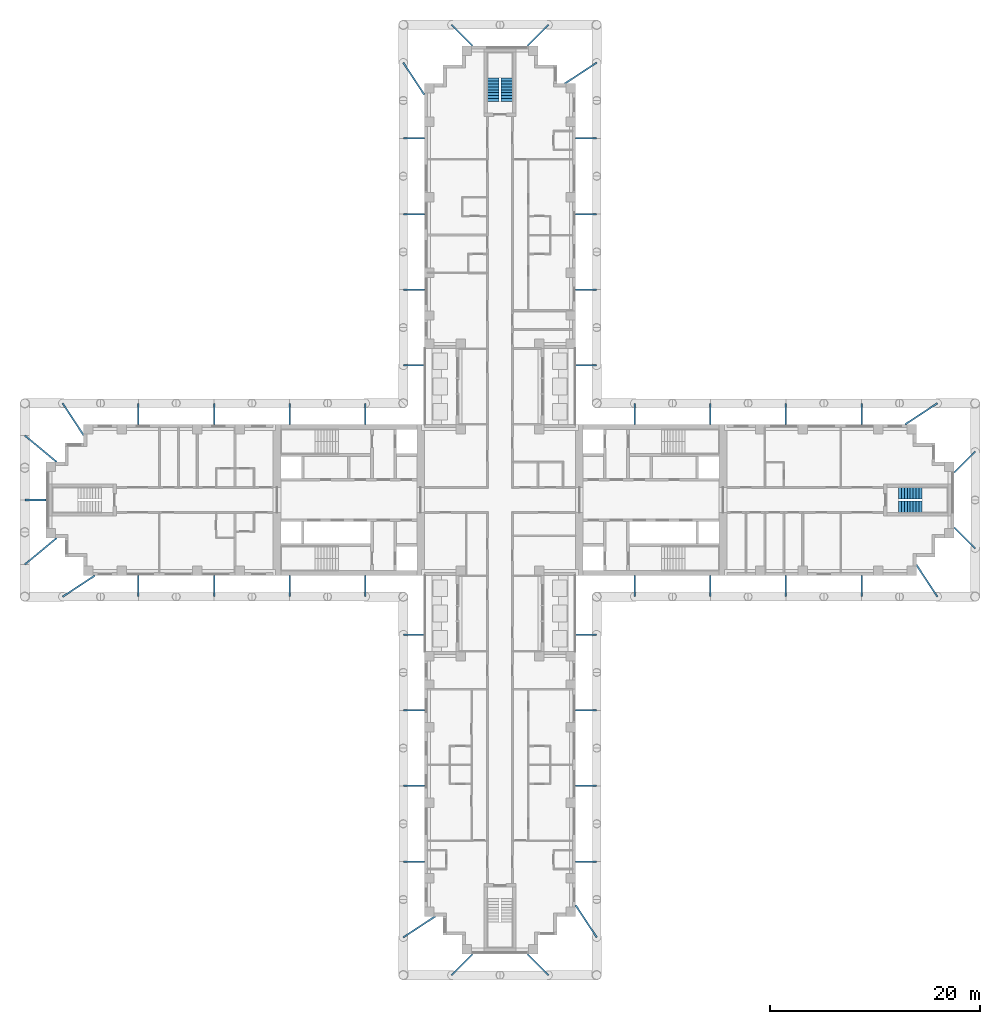
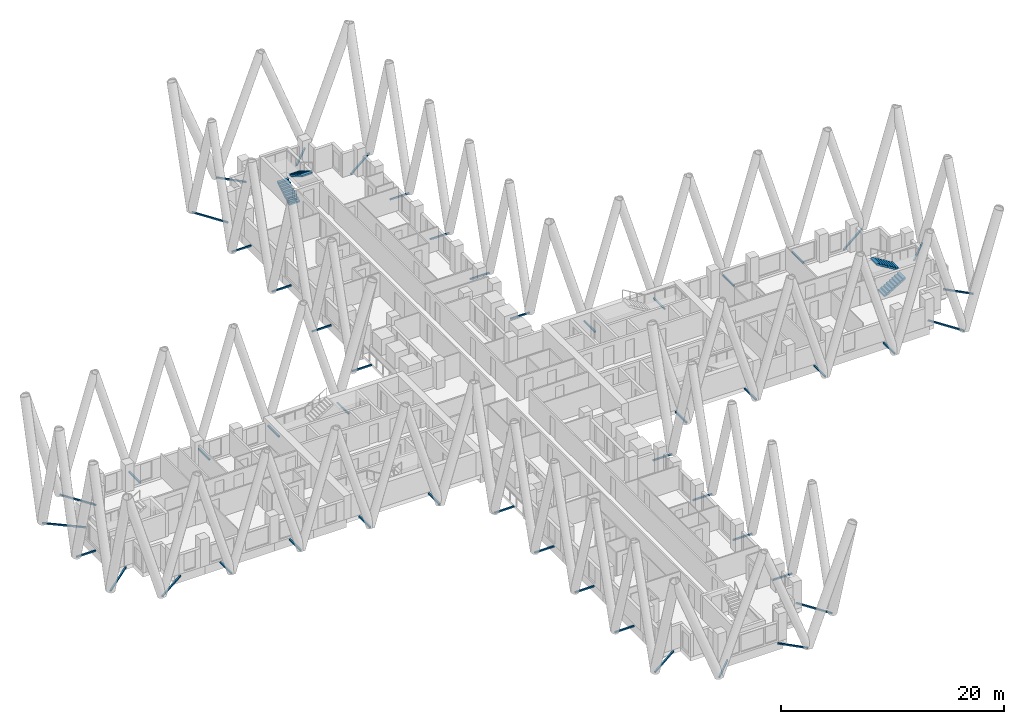
# One storey, part 14 of 16: 49 discrete accessories, 4 stair flights, 2 elements without a shape of their own.
"""IFC4 building model written with IfcOpenShell, lengths in metres."""

import ifcopenshell
import ifcopenshell.guid

model = None  # the IFC model being written
_history = None  # IfcOwnerHistory: only IFC2X3 demands one
_inside = {}  # id of a spatial element -> (the spatial element, [elements in it])
_under = {}  # id of a project, library or spatial element -> (it, [spatial elements below it])
_declared = {}  # id of a project -> (the project, [libraries it declares])
_typed = {}  # id of a type object -> (the type object, [elements of that type])
_made_of = {}  # id of a material, layer set ... -> (it, [elements and type objects made of it])


def new_model(schema):
    """Start an empty IFC model of exactly this schema.

    Asked for "IFC4X3", IfcOpenShell would pick the latest addendum, in which some entities
    have other attributes; the version numbers below select the first issue.
    IFC2X3 requires an IfcOwnerHistory on every rooted entity: one is made here for all.
    """
    global model, _history
    if schema == "IFC4X3":
        model = ifcopenshell.file(schema_version=(4, 3, 0, 0))
    else:
        model = ifcopenshell.file(schema=schema)
    _inside.clear()
    _under.clear()
    _declared.clear()
    _typed.clear()
    _made_of.clear()
    _history = None
    if model.schema == "IFC2X3":
        org = make("IfcOrganization", Name="unknown")
        user = make(
            "IfcPersonAndOrganization",
            ThePerson=make("IfcPerson", FamilyName="unknown"),
            TheOrganization=org,
        )
        app = make(
            "IfcApplication",
            ApplicationDeveloper=org,
            Version="unknown",
            ApplicationFullName="unknown",
            ApplicationIdentifier="unknown",
        )
        _history = make(
            "IfcOwnerHistory",
            OwningUser=user,
            OwningApplication=app,
            ChangeAction="ADDED",
            CreationDate=0,
        )
    return model


def make(cls, **values):
    """One entity of the class cls with the attributes given. An attribute that is None is left unset."""
    return model.create_entity(
        cls, **{name: value for name, value in values.items() if value is not None}
    )


def rooted(cls, **values):
    """An entity with a GlobalId (a new one), such as an element, a storey or a relation."""
    return make(cls, GlobalId=ifcopenshell.guid.new(), OwnerHistory=_history, **values)


def si_unit(unit_type, name, prefix=None):
    """IfcSIUnit, for example si_unit("LENGTHUNIT", "METRE", prefix="MILLI")."""
    return make("IfcSIUnit", UnitType=unit_type, Prefix=prefix, Name=name)


def assignment(units):
    """IfcUnitAssignment: the units of a project."""
    return None if units is None else make("IfcUnitAssignment", Units=units)


def point(xyz):
    """IfcCartesianPoint."""
    return None if xyz is None else make("IfcCartesianPoint", Coordinates=xyz)


def direction(xyz):
    """IfcDirection."""
    return None if xyz is None else make("IfcDirection", DirectionRatios=xyz)


def frame(location, z_axis=None, x_axis=None):
    """IfcAxis2Placement3D, a coordinate frame: its origin and axes. An axis left out is left unset."""
    return make(
        "IfcAxis2Placement3D",
        Location=point(location),
        Axis=direction(z_axis),
        RefDirection=direction(x_axis),
    )


def frame_2d(location, x_axis=None):
    """IfcAxis2Placement2D, a coordinate frame in the plane: its origin and x axis."""
    return make(
        "IfcAxis2Placement2D", Location=point(location), RefDirection=direction(x_axis)
    )


def origin():
    """The frame at (0, 0, 0) with its axes left unset."""
    return frame((0.0, 0.0, 0.0))


def origin_2d():
    """The frame at (0, 0) in the plane with its x axis left unset."""
    return frame_2d((0.0, 0.0))


def place(relative_to, where):
    """IfcLocalPlacement: puts the frame where relative to a parent placement (None: the world)."""
    return make(
        "IfcLocalPlacement", PlacementRelTo=relative_to, RelativePlacement=where
    )


def context(
    kind, dimensions, precision=None, world=None, true_north=None, identifier=None
):
    """IfcGeometricRepresentationContext, for example the 3D "Model" context."""
    return make(
        "IfcGeometricRepresentationContext",
        ContextIdentifier=identifier,
        ContextType=kind,
        CoordinateSpaceDimension=dimensions,
        Precision=precision,
        WorldCoordinateSystem=world,
        TrueNorth=true_north,
    )


def subcontext(parent, identifier, kind, view, scale=None):
    """IfcGeometricRepresentationSubContext, for example "Body" below "Model"."""
    return make(
        "IfcGeometricRepresentationSubContext",
        ContextIdentifier=identifier,
        ContextType=kind,
        ParentContext=parent,
        TargetScale=scale,
        TargetView=view,
    )


def project(units=None, contexts=None):
    """IfcProject with its units and contexts."""
    return rooted(
        "IfcProject",
        Name="project",
        RepresentationContexts=contexts,
        UnitsInContext=assignment(units),
    )


def spatial(cls, under=None, at=None, **own):
    """A site, building, storey or space (cls), placed at a placement, below another one or the project."""
    s = rooted(cls, ObjectPlacement=at, **own)
    if under is not None:
        _under.setdefault(under.id(), (under, []))[1].append(s)
    return s


def polyline(points):
    """IfcPolyline through the points."""
    return make("IfcPolyline", Points=[point(p) for p in points])


def profile(cls, at=None, kind="AREA", **sizes):
    """A parametric profile (cls). Its sizes go by their IFC names, for example OverallWidth=200.0."""
    return make(cls, ProfileType=kind, Position=at, **sizes)


def hollow_rectangle(**sizes):
    """IfcRectangleHollowProfileDef."""
    return profile("IfcRectangleHollowProfileDef", **sizes)


def outline(outer, holes=None, kind="AREA"):
    """IfcArbitraryClosedProfileDef: a profile drawn as a closed curve; with holes, ...WithVoids."""
    if holes is None:
        return make("IfcArbitraryClosedProfileDef", ProfileType=kind, OuterCurve=outer)
    return make(
        "IfcArbitraryProfileDefWithVoids",
        ProfileType=kind,
        OuterCurve=outer,
        InnerCurves=holes,
    )


def extrude(swept, where, along, depth):
    """IfcExtrudedAreaSolid: the profile swept, set in the frame where, extruded along a direction by depth."""
    return make(
        "IfcExtrudedAreaSolid",
        SweptArea=swept,
        Position=where,
        ExtrudedDirection=direction(along),
        Depth=depth,
    )


def shape(context_of_items, identifier, shape_type, items):
    """IfcShapeRepresentation: the items that make up one representation, for example the "Body"."""
    return make(
        "IfcShapeRepresentation",
        ContextOfItems=context_of_items,
        RepresentationIdentifier=identifier,
        RepresentationType=shape_type,
        Items=items,
    )


def material(Name=None, Category=None):
    """IfcMaterial."""
    return make("IfcMaterial", Name=Name, Category=Category)


def made_of(thing, what):
    """Note that an element or type object is made of a material, layer set ...; save() writes the relation."""
    if what is not None:
        _made_of.setdefault(what.id(), (what, []))[1].append(thing)
    return thing


def type_object(cls, material=None, **own):
    """A type object (cls), such as IfcWallType, which elements share."""
    return made_of(rooted(cls, **own), material)


def element(
    cls,
    number,
    at=None,
    inside=None,
    cuts=None,
    type_object=None,
    material=None,
    context=None,
    identifier="Body",
    shape_type=None,
    held_by="IfcProductDefinitionShape",
    body=None,
    shapes=None,
    **own,
):
    """One element of the class cls, such as IfcWall. Its Tag is "e" and its number.

    at: its placement. inside: the storey or other place that contains it. cuts: it is an
    opening in that element (IfcRelVoidsElement). A single representation is given by context,
    identifier, shape_type and body (its items); several are given by shapes. held_by: the class
    of the entity that holds the representations. save() writes the other relations.
    """
    e = rooted(cls, Tag="e%d" % number, ObjectPlacement=at, **own)
    if body is not None:
        shapes = [shape(context, identifier, shape_type, body)]
    if shapes is not None:
        e.Representation = make(held_by, Representations=shapes)
    if inside is not None:
        _inside.setdefault(inside.id(), (inside, []))[1].append(e)
    if cuts is not None:
        rooted(
            "IfcRelVoidsElement", RelatingBuildingElement=cuts, RelatedOpeningElement=e
        )
    if type_object is not None:
        _typed.setdefault(type_object.id(), (type_object, []))[1].append(e)
    return made_of(e, material)


def aggregate(whole, parts):
    """IfcRelAggregates: a whole, such as a stair, and the parts it consists of."""
    return rooted("IfcRelAggregates", RelatingObject=whole, RelatedObjects=parts)


def save(model, path):
    """Write the relations noted so far, then the file.

    IfcRelAggregates (storeys below a building ...), IfcRelContainedInSpatialStructure (elements
    in a storey), IfcRelDefinesByType, IfcRelAssociatesMaterial and IfcRelDeclares: one each for
    every whole, place, type object, material and project.
    """
    for whole, parts in _under.values():
        aggregate(whole, parts)
    for where, things in _inside.values():
        rooted(
            "IfcRelContainedInSpatialStructure",
            RelatedElements=things,
            RelatingStructure=where,
        )
    for kind, things in _typed.values():
        rooted("IfcRelDefinesByType", RelatedObjects=things, RelatingType=kind)
    for what, things in _made_of.values():
        rooted("IfcRelAssociatesMaterial", RelatedObjects=things, RelatingMaterial=what)
    for by, libraries in _declared.values():
        rooted("IfcRelDeclares", RelatingContext=by, RelatedDefinitions=libraries)
    model.write(path)


model = new_model("IFC4")

# Units and contexts
model_context = context("Model", 3, precision=1e-05, world=origin(), true_north=direction((0.0, 1.0)))
body_context = subcontext(model_context, "Body", "Model", "MODEL_VIEW")
ifc_project = project(units=[si_unit("LENGTHUNIT", "METRE"), si_unit("AREAUNIT", "SQUARE_METRE"), si_unit("VOLUMEUNIT", "CUBIC_METRE"), si_unit("PLANEANGLEUNIT", "RADIAN"), si_unit("MASSUNIT", "GRAM", prefix="KILO")], contexts=[model_context])

# Site, building, storey
site_placement = place(None, origin())
site = spatial("IfcSite", under=ifc_project, at=site_placement, CompositionType="ELEMENT")
building_placement = place(site_placement, origin())
building = spatial("IfcBuilding", under=site, at=building_placement, Name="Fustian Cross Tower", CompositionType="ELEMENT")
storey_placement = place(building_placement, frame((0.0, 0.0, 44.699951171875)))
storey = spatial("IfcBuildingStorey", under=building, at=storey_placement, Name="L13", CompositionType="ELEMENT", Elevation=44.699951171875)

# Stair, stair flights
ifc_material_1 = material(Name="Concrete C50/60", Category="concrete")
stair_type = type_object("IfcStairType", Name="STAIR 1100 HALF TURN", PredefinedType="HALF_TURN_STAIR", material=ifc_material_1)
stair_1_placement = place(storey_placement, origin())
stair_1 = element("IfcStair", 1, at=stair_1_placement, inside=storey, type_object=stair_type, Name="Stair ST5", PredefinedType="HALF_TURN_STAIR")
ifc_material_2 = material(Name="Concrete C50/60", Category="concrete")
stair_flight_type = type_object("IfcStairFlightType", Name="STAIR FLIGHT 1100", PredefinedType="STRAIGHT", material=ifc_material_2)
stair_flight_1_placement = place(storey_placement, frame((-0.64990234375, 37.89990234375, 0.0), z_axis=(0.0, 0.0, 1.0), x_axis=(0.0, 1.0, 0.0)))
stair_flight_1 = element("IfcStairFlight", 2, at=stair_flight_1_placement, type_object=stair_flight_type, Name="ST5 flight 1", NumberOfRisers=9, NumberOfTreads=8, PredefinedType="STRAIGHT", RiserHeight=0.166666667, TreadLength=0.28, context=body_context, shape_type="SweptSolid", body=[
    extrude(outline(polyline([(0.0, 0.0), (0.0, 0.166748046875), (0.280029296875, 0.166748046875), (0.280029296875, 0.333251953125), (0.56005859375, 0.333251953125), (0.56005859375, 0.5), (0.840087890625, 0.5), (0.840087890625, 0.666748046875), (1.1201171875, 0.666748046875), (1.1201171875, 0.833251953125), (1.39990234375, 0.833251953125), (1.39990234375, 1.0), (1.679931640625, 1.0), (1.679931640625, 1.166748046875), (1.9599609375, 1.166748046875), (1.9599609375, 1.333251953125), (2.239990234375, 1.333251953125), (2.239990234375, 1.5), (2.239990234375, 1.158935546875), (0.29296875, 0.0), (0.0, 0.0)])), frame((0.0, 0.550048828125, 0.0), z_axis=(0.0, -1.0, 0.0), x_axis=(1.0, 0.0, 0.0)), (0.0, 0.0, 1.0), 1.10009765625),
])
stair_flight_2_placement = place(storey_placement, frame((0.64990234375, 40.139892578125, 1.5), z_axis=(0.0, 0.0, 1.0), x_axis=(0.0, -1.0, 0.0)))
stair_flight_2 = element("IfcStairFlight", 3, at=stair_flight_2_placement, type_object=stair_flight_type, Name="ST5 flight 2", NumberOfRisers=9, NumberOfTreads=8, PredefinedType="STRAIGHT", RiserHeight=0.166666667, TreadLength=0.28, context=body_context, shape_type="SweptSolid", body=[
    extrude(outline(polyline([(0.0, 0.0), (0.0, 0.166748046875), (0.280029296875, 0.166748046875), (0.280029296875, 0.333251953125), (0.56005859375, 0.333251953125), (0.56005859375, 0.5), (0.840087890625, 0.5), (0.840087890625, 0.666748046875), (1.1201171875, 0.666748046875), (1.1201171875, 0.833251953125), (1.39990234375, 0.833251953125), (1.39990234375, 1.0), (1.679931640625, 1.0), (1.679931640625, 1.166748046875), (1.9599609375, 1.166748046875), (1.9599609375, 1.333251953125), (2.239990234375, 1.333251953125), (2.239990234375, 1.5), (2.239990234375, 1.158935546875), (0.29296875, 0.0), (0.0, 0.0)])), frame((0.0, 0.550048828125, 0.0), z_axis=(0.0, -1.0, 0.0), x_axis=(1.0, 0.0, 0.0)), (0.0, 0.0, 1.0), 1.10009765625),
])
aggregate(stair_1, [stair_flight_1, stair_flight_2])

stair_2_placement = place(storey_placement, origin())
stair_2 = element("IfcStair", 4, at=stair_2_placement, inside=storey, type_object=stair_type, Name="Stair ST8", PredefinedType="HALF_TURN_STAIR")
stair_flight_3_placement = place(storey_placement, frame((37.89990234375, -0.64990234375, 0.0), z_axis=(0.0, 0.0, 1.0), x_axis=(1.0, 0.0, 0.0)))
stair_flight_3 = element("IfcStairFlight", 5, at=stair_flight_3_placement, type_object=stair_flight_type, Name="ST8 flight 1", NumberOfRisers=9, NumberOfTreads=8, PredefinedType="STRAIGHT", RiserHeight=0.166666667, TreadLength=0.28, context=body_context, shape_type="SweptSolid", body=[
    extrude(outline(polyline([(0.0, 0.0), (0.0, 0.166748046875), (0.280029296875, 0.166748046875), (0.280029296875, 0.333251953125), (0.56005859375, 0.333251953125), (0.56005859375, 0.5), (0.840087890625, 0.5), (0.840087890625, 0.666748046875), (1.1201171875, 0.666748046875), (1.1201171875, 0.833251953125), (1.39990234375, 0.833251953125), (1.39990234375, 1.0), (1.679931640625, 1.0), (1.679931640625, 1.166748046875), (1.9599609375, 1.166748046875), (1.9599609375, 1.333251953125), (2.239990234375, 1.333251953125), (2.239990234375, 1.5), (2.239990234375, 1.158935546875), (0.29296875, 0.0), (0.0, 0.0)])), frame((0.0, 0.550048828125, 0.0), z_axis=(0.0, -1.0, 0.0), x_axis=(1.0, 0.0, 0.0)), (0.0, 0.0, 1.0), 1.10009765625),
])
stair_flight_4_placement = place(storey_placement, frame((40.139892578125, 0.64990234375, 1.5), z_axis=(0.0, 0.0, 1.0), x_axis=(-1.0, 0.0, 0.0)))
stair_flight_4 = element("IfcStairFlight", 6, at=stair_flight_4_placement, type_object=stair_flight_type, Name="ST8 flight 2", NumberOfRisers=9, NumberOfTreads=8, PredefinedType="STRAIGHT", RiserHeight=0.166666667, TreadLength=0.28, context=body_context, shape_type="SweptSolid", body=[
    extrude(outline(polyline([(0.0, 0.0), (0.0, 0.166748046875), (0.280029296875, 0.166748046875), (0.280029296875, 0.333251953125), (0.56005859375, 0.333251953125), (0.56005859375, 0.5), (0.840087890625, 0.5), (0.840087890625, 0.666748046875), (1.1201171875, 0.666748046875), (1.1201171875, 0.833251953125), (1.39990234375, 0.833251953125), (1.39990234375, 1.0), (1.679931640625, 1.0), (1.679931640625, 1.166748046875), (1.9599609375, 1.166748046875), (1.9599609375, 1.333251953125), (2.239990234375, 1.333251953125), (2.239990234375, 1.5), (2.239990234375, 1.158935546875), (0.29296875, 0.0), (0.0, 0.0)])), frame((0.0, 0.550048828125, 0.0), z_axis=(0.0, -1.0, 0.0), x_axis=(1.0, 0.0, 0.0)), (0.0, 0.0, 1.0), 1.10009765625),
])
aggregate(stair_2, [stair_flight_3, stair_flight_4])

# Discrete accessories
ifc_material_3 = material(Name="Steel S355", Category="steel")
discrete_accessory_1_placement = place(storey_placement, frame((45.199951171875, 4.60009765625, -0.14990234375), z_axis=(-0.707106781187, -0.707106781187, 0.0), x_axis=(0.707106781187, -0.707106781187, 0.0)))
element("IfcDiscreteAccessory", 7, at=discrete_accessory_1_placement, inside=storey, material=ifc_material_3, Name="Diagrid node bracket L13-01", PredefinedType="BRACKET", context=body_context, shape_type="SweptSolid", body=[
    extrude(hollow_rectangle(XDim=0.14990234375, YDim=0.14990234375, WallThickness=0.010009765625, at=origin_2d()), origin(), (0.0, 0.0, 1.0), 2.828369140625),
])
discrete_accessory_2_placement = place(storey_placement, frame((41.60009765625, 9.199951171875, -0.14990234375), z_axis=(-0.836248392914, -0.548350823241, 0.0), x_axis=(0.548350823241, -0.836248392914, 0.0)))
element("IfcDiscreteAccessory", 8, at=discrete_accessory_2_placement, inside=storey, material=ifc_material_3, Name="Diagrid node bracket L13-02", PredefinedType="BRACKET", context=body_context, shape_type="SweptSolid", body=[
    extrude(hollow_rectangle(XDim=0.14990234375, YDim=0.14990234375, WallThickness=0.010009765625, at=origin_2d()), origin(), (0.0, 0.0, 1.0), 3.647216796875),
])
for number, where, z_axis, x_axis, name in (
    (9, (34.39990234375, 9.199951171875, -0.14990234375), (0.0, -1.0, 0.0), (1.0, 0.0, 0.0), "Diagrid node bracket L13-03"),
    (10, (27.199951171875, 9.199951171875, -0.14990234375), (0.0, -1.0, 0.0), (1.0, 0.0, 0.0), "Diagrid node bracket L13-04"),
    (11, (20.0, 9.199951171875, -0.14990234375), (0.0, -1.0, 0.0), (1.0, 0.0, 0.0), "Diagrid node bracket L13-05"),
    (12, (12.800048828125, 9.199951171875, -0.14990234375), (0.0, -1.0, 0.0), (1.0, 0.0, 0.0), "Diagrid node bracket L13-06"),
    (13, (9.199951171875, 12.800048828125, -0.14990234375), (-1.0, 0.0, 0.0), (0.0, -1.0, 0.0), "Diagrid node bracket L13-07"),
    (14, (9.199951171875, 20.0, -0.14990234375), (-1.0, 0.0, 0.0), (0.0, -1.0, 0.0), "Diagrid node bracket L13-08"),
    (15, (9.199951171875, 27.199951171875, -0.14990234375), (-1.0, 0.0, 0.0), (0.0, -1.0, 0.0), "Diagrid node bracket L13-09"),
    (16, (9.199951171875, 34.39990234375, -0.14990234375), (-1.0, 0.0, 0.0), (0.0, -1.0, 0.0), "Diagrid node bracket L13-10"),
):
    element("IfcDiscreteAccessory", number, at=place(storey_placement, frame(where, z_axis=z_axis, x_axis=x_axis)), inside=storey, material=ifc_material_3, Name=name, PredefinedType="BRACKET", context=body_context, shape_type="SweptSolid", body=[
        extrude(hollow_rectangle(XDim=0.14990234375, YDim=0.14990234375, WallThickness=0.010009765625, at=origin_2d()), origin(), (0.0, 0.0, 1.0), 2.0),
    ])
discrete_accessory_3_placement = place(storey_placement, frame((9.199951171875, 41.60009765625, -0.14990234375), z_axis=(-0.836248392914, -0.548350823241, 0.0), x_axis=(0.548350823241, -0.836248392914, 0.0)))
element("IfcDiscreteAccessory", 17, at=discrete_accessory_3_placement, inside=storey, material=ifc_material_3, Name="Diagrid node bracket L13-11", PredefinedType="BRACKET", context=body_context, shape_type="SweptSolid", body=[
    extrude(hollow_rectangle(XDim=0.14990234375, YDim=0.14990234375, WallThickness=0.010009765625, at=origin_2d()), origin(), (0.0, 0.0, 1.0), 3.647216796875),
])
for number, where, z_axis, x_axis, name in (
    (18, (4.60009765625, 45.199951171875, -0.14990234375), (-0.707106781187, -0.707106781187, 0.0), (0.707106781187, -0.707106781187, 0.0), "Diagrid node bracket L13-12"),
    (19, (-4.60009765625, 45.199951171875, -0.14990234375), (0.707106781187, -0.707106781187, 0.0), (0.707106781187, 0.707106781187, 0.0), "Diagrid node bracket L13-13"),
):
    element("IfcDiscreteAccessory", number, at=place(storey_placement, frame(where, z_axis=z_axis, x_axis=x_axis)), inside=storey, material=ifc_material_3, Name=name, PredefinedType="BRACKET", context=body_context, shape_type="SweptSolid", body=[
        extrude(hollow_rectangle(XDim=0.14990234375, YDim=0.14990234375, WallThickness=0.010009765625, at=origin_2d()), origin(), (0.0, 0.0, 1.0), 2.828369140625),
    ])
discrete_accessory_4_placement = place(storey_placement, frame((-9.199951171875, 41.60009765625, -0.14990234375), z_axis=(0.548350823241, -0.836248392914, 0.0), x_axis=(0.836248392914, 0.548350823241, 0.0)))
element("IfcDiscreteAccessory", 20, at=discrete_accessory_4_placement, inside=storey, material=ifc_material_3, Name="Diagrid node bracket L13-14", PredefinedType="BRACKET", context=body_context, shape_type="SweptSolid", body=[
    extrude(hollow_rectangle(XDim=0.14990234375, YDim=0.14990234375, WallThickness=0.010009765625, at=origin_2d()), origin(), (0.0, 0.0, 1.0), 3.647216796875),
])
for number, where, z_axis, x_axis, name in (
    (21, (-9.199951171875, 34.39990234375, -0.14990234375), (1.0, 0.0, 0.0), (0.0, 1.0, 0.0), "Diagrid node bracket L13-15"),
    (22, (-9.199951171875, 27.199951171875, -0.14990234375), (1.0, 0.0, 0.0), (0.0, 1.0, 0.0), "Diagrid node bracket L13-16"),
    (23, (-9.199951171875, 20.0, -0.14990234375), (1.0, 0.0, 0.0), (0.0, 1.0, 0.0), "Diagrid node bracket L13-17"),
    (24, (-9.199951171875, 12.800048828125, -0.14990234375), (1.0, 0.0, 0.0), (0.0, 1.0, 0.0), "Diagrid node bracket L13-18"),
    (25, (-12.800048828125, 9.199951171875, -0.14990234375), (0.0, -1.0, 0.0), (1.0, 0.0, 0.0), "Diagrid node bracket L13-19"),
    (26, (-20.0, 9.199951171875, -0.14990234375), (0.0, -1.0, 0.0), (1.0, 0.0, 0.0), "Diagrid node bracket L13-20"),
    (27, (-27.199951171875, 9.199951171875, -0.14990234375), (0.0, -1.0, 0.0), (1.0, 0.0, 0.0), "Diagrid node bracket L13-21"),
    (28, (-34.39990234375, 9.199951171875, -0.14990234375), (0.0, -1.0, 0.0), (1.0, 0.0, 0.0), "Diagrid node bracket L13-22"),
):
    element("IfcDiscreteAccessory", number, at=place(storey_placement, frame(where, z_axis=z_axis, x_axis=x_axis)), inside=storey, material=ifc_material_3, Name=name, PredefinedType="BRACKET", context=body_context, shape_type="SweptSolid", body=[
        extrude(hollow_rectangle(XDim=0.14990234375, YDim=0.14990234375, WallThickness=0.010009765625, at=origin_2d()), origin(), (0.0, 0.0, 1.0), 2.0),
    ])
discrete_accessory_5_placement = place(storey_placement, frame((-41.60009765625, 9.199951171875, -0.14990234375), z_axis=(0.548350823241, -0.836248392914, 0.0), x_axis=(0.836248392914, 0.548350823241, 0.0)))
element("IfcDiscreteAccessory", 29, at=discrete_accessory_5_placement, inside=storey, material=ifc_material_3, Name="Diagrid node bracket L13-23", PredefinedType="BRACKET", context=body_context, shape_type="SweptSolid", body=[
    extrude(hollow_rectangle(XDim=0.14990234375, YDim=0.14990234375, WallThickness=0.010009765625, at=origin_2d()), origin(), (0.0, 0.0, 1.0), 3.647216796875),
])
discrete_accessory_6_placement = place(storey_placement, frame((-45.199951171875, 6.13330078125, -0.14990234375), z_axis=(0.769275112648, -0.638917679408, 0.0), x_axis=(0.638917679408, 0.769275112648, 0.0)))
element("IfcDiscreteAccessory", 30, at=discrete_accessory_6_placement, inside=storey, material=ifc_material_3, Name="Diagrid node bracket L13-24", PredefinedType="BRACKET", context=body_context, shape_type="SweptSolid", body=[
    extrude(hollow_rectangle(XDim=0.14990234375, YDim=0.14990234375, WallThickness=0.010009765625, at=origin_2d()), origin(), (0.0, 0.0, 1.0), 3.96484375),
])
discrete_accessory_7_placement = place(storey_placement, frame((-45.199951171875, 0.0, -0.14990234375), z_axis=(1.0, 0.0, 0.0), x_axis=(0.0, 1.0, 0.0)))
element("IfcDiscreteAccessory", 31, at=discrete_accessory_7_placement, inside=storey, material=ifc_material_3, Name="Diagrid node bracket L13-25", PredefinedType="BRACKET", context=body_context, shape_type="SweptSolid", body=[
    extrude(hollow_rectangle(XDim=0.14990234375, YDim=0.14990234375, WallThickness=0.010009765625, at=origin_2d()), origin(), (0.0, 0.0, 1.0), 2.0),
])
discrete_accessory_8_placement = place(storey_placement, frame((-45.199951171875, -6.13330078125, -0.14990234375), z_axis=(0.769275112648, 0.638917679408, 0.0), x_axis=(-0.638917679408, 0.769275112648, 0.0)))
element("IfcDiscreteAccessory", 32, at=discrete_accessory_8_placement, inside=storey, material=ifc_material_3, Name="Diagrid node bracket L13-26", PredefinedType="BRACKET", context=body_context, shape_type="SweptSolid", body=[
    extrude(hollow_rectangle(XDim=0.14990234375, YDim=0.14990234375, WallThickness=0.010009765625, at=origin_2d()), origin(), (0.0, 0.0, 1.0), 3.96484375),
])
discrete_accessory_9_placement = place(storey_placement, frame((-41.60009765625, -9.199951171875, -0.14990234375), z_axis=(0.836248392914, 0.548350823241, 0.0), x_axis=(-0.548350823241, 0.836248392914, 0.0)))
element("IfcDiscreteAccessory", 33, at=discrete_accessory_9_placement, inside=storey, material=ifc_material_3, Name="Diagrid node bracket L13-27", PredefinedType="BRACKET", context=body_context, shape_type="SweptSolid", body=[
    extrude(hollow_rectangle(XDim=0.14990234375, YDim=0.14990234375, WallThickness=0.010009765625, at=origin_2d()), origin(), (0.0, 0.0, 1.0), 3.647216796875),
])
for number, where, z_axis, x_axis, name in (
    (34, (-34.39990234375, -9.199951171875, -0.14990234375), (0.0, 1.0, 0.0), (-1.0, 0.0, 0.0), "Diagrid node bracket L13-28"),
    (35, (-27.199951171875, -9.199951171875, -0.14990234375), (0.0, 1.0, 0.0), (-1.0, 0.0, 0.0), "Diagrid node bracket L13-29"),
    (36, (-20.0, -9.199951171875, -0.14990234375), (0.0, 1.0, 0.0), (-1.0, 0.0, 0.0), "Diagrid node bracket L13-30"),
    (37, (-12.800048828125, -9.199951171875, -0.14990234375), (0.0, 1.0, 0.0), (-1.0, 0.0, 0.0), "Diagrid node bracket L13-31"),
    (38, (-9.199951171875, -12.800048828125, -0.14990234375), (1.0, 0.0, 0.0), (0.0, 1.0, 0.0), "Diagrid node bracket L13-32"),
    (39, (-9.199951171875, -20.0, -0.14990234375), (1.0, 0.0, 0.0), (0.0, 1.0, 0.0), "Diagrid node bracket L13-33"),
    (40, (-9.199951171875, -27.199951171875, -0.14990234375), (1.0, 0.0, 0.0), (0.0, 1.0, 0.0), "Diagrid node bracket L13-34"),
    (41, (-9.199951171875, -34.39990234375, -0.14990234375), (1.0, 0.0, 0.0), (0.0, 1.0, 0.0), "Diagrid node bracket L13-35"),
):
    element("IfcDiscreteAccessory", number, at=place(storey_placement, frame(where, z_axis=z_axis, x_axis=x_axis)), inside=storey, material=ifc_material_3, Name=name, PredefinedType="BRACKET", context=body_context, shape_type="SweptSolid", body=[
        extrude(hollow_rectangle(XDim=0.14990234375, YDim=0.14990234375, WallThickness=0.010009765625, at=origin_2d()), origin(), (0.0, 0.0, 1.0), 2.0),
    ])
discrete_accessory_10_placement = place(storey_placement, frame((-9.199951171875, -41.60009765625, -0.14990234375), z_axis=(0.836248392914, 0.548350823241, 0.0), x_axis=(-0.548350823241, 0.836248392914, 0.0)))
element("IfcDiscreteAccessory", 42, at=discrete_accessory_10_placement, inside=storey, material=ifc_material_3, Name="Diagrid node bracket L13-36", PredefinedType="BRACKET", context=body_context, shape_type="SweptSolid", body=[
    extrude(hollow_rectangle(XDim=0.14990234375, YDim=0.14990234375, WallThickness=0.010009765625, at=origin_2d()), origin(), (0.0, 0.0, 1.0), 3.647216796875),
])
for number, where, z_axis, x_axis, name in (
    (43, (-4.60009765625, -45.199951171875, -0.14990234375), (0.707106781187, 0.707106781187, 0.0), (-0.707106781187, 0.707106781187, 0.0), "Diagrid node bracket L13-37"),
    (44, (4.60009765625, -45.199951171875, -0.14990234375), (-0.707106781187, 0.707106781187, 0.0), (-0.707106781187, -0.707106781187, 0.0), "Diagrid node bracket L13-38"),
):
    element("IfcDiscreteAccessory", number, at=place(storey_placement, frame(where, z_axis=z_axis, x_axis=x_axis)), inside=storey, material=ifc_material_3, Name=name, PredefinedType="BRACKET", context=body_context, shape_type="SweptSolid", body=[
        extrude(hollow_rectangle(XDim=0.14990234375, YDim=0.14990234375, WallThickness=0.010009765625, at=origin_2d()), origin(), (0.0, 0.0, 1.0), 2.828369140625),
    ])
discrete_accessory_11_placement = place(storey_placement, frame((9.199951171875, -41.60009765625, -0.14990234375), z_axis=(-0.548350823241, 0.836248392914, 0.0), x_axis=(-0.836248392914, -0.548350823241, 0.0)))
element("IfcDiscreteAccessory", 45, at=discrete_accessory_11_placement, inside=storey, material=ifc_material_3, Name="Diagrid node bracket L13-39", PredefinedType="BRACKET", context=body_context, shape_type="SweptSolid", body=[
    extrude(hollow_rectangle(XDim=0.14990234375, YDim=0.14990234375, WallThickness=0.010009765625, at=origin_2d()), origin(), (0.0, 0.0, 1.0), 3.647216796875),
])
for number, where, z_axis, x_axis, name in (
    (46, (9.199951171875, -34.39990234375, -0.14990234375), (-1.0, 0.0, 0.0), (0.0, -1.0, 0.0), "Diagrid node bracket L13-40"),
    (47, (9.199951171875, -27.199951171875, -0.14990234375), (-1.0, 0.0, 0.0), (0.0, -1.0, 0.0), "Diagrid node bracket L13-41"),
    (48, (9.199951171875, -20.0, -0.14990234375), (-1.0, 0.0, 0.0), (0.0, -1.0, 0.0), "Diagrid node bracket L13-42"),
    (49, (9.199951171875, -12.800048828125, -0.14990234375), (-1.0, 0.0, 0.0), (0.0, -1.0, 0.0), "Diagrid node bracket L13-43"),
    (50, (12.800048828125, -9.199951171875, -0.14990234375), (0.0, 1.0, 0.0), (-1.0, 0.0, 0.0), "Diagrid node bracket L13-44"),
    (51, (20.0, -9.199951171875, -0.14990234375), (0.0, 1.0, 0.0), (-1.0, 0.0, 0.0), "Diagrid node bracket L13-45"),
    (52, (27.199951171875, -9.199951171875, -0.14990234375), (0.0, 1.0, 0.0), (-1.0, 0.0, 0.0), "Diagrid node bracket L13-46"),
    (53, (34.39990234375, -9.199951171875, -0.14990234375), (0.0, 1.0, 0.0), (-1.0, 0.0, 0.0), "Diagrid node bracket L13-47"),
):
    element("IfcDiscreteAccessory", number, at=place(storey_placement, frame(where, z_axis=z_axis, x_axis=x_axis)), inside=storey, material=ifc_material_3, Name=name, PredefinedType="BRACKET", context=body_context, shape_type="SweptSolid", body=[
        extrude(hollow_rectangle(XDim=0.14990234375, YDim=0.14990234375, WallThickness=0.010009765625, at=origin_2d()), origin(), (0.0, 0.0, 1.0), 2.0),
    ])
discrete_accessory_12_placement = place(storey_placement, frame((41.60009765625, -9.199951171875, -0.14990234375), z_axis=(-0.548350823241, 0.836248392914, 0.0), x_axis=(-0.836248392914, -0.548350823241, 0.0)))
element("IfcDiscreteAccessory", 54, at=discrete_accessory_12_placement, inside=storey, material=ifc_material_3, Name="Diagrid node bracket L13-48", PredefinedType="BRACKET", context=body_context, shape_type="SweptSolid", body=[
    extrude(hollow_rectangle(XDim=0.14990234375, YDim=0.14990234375, WallThickness=0.010009765625, at=origin_2d()), origin(), (0.0, 0.0, 1.0), 3.647216796875),
])
discrete_accessory_13_placement = place(storey_placement, frame((45.199951171875, -4.60009765625, -0.14990234375), z_axis=(-0.707106781187, 0.707106781187, 0.0), x_axis=(-0.707106781187, -0.707106781187, 0.0)))
element("IfcDiscreteAccessory", 55, at=discrete_accessory_13_placement, inside=storey, material=ifc_material_3, Name="Diagrid node bracket L13-49", PredefinedType="BRACKET", context=body_context, shape_type="SweptSolid", body=[
    extrude(hollow_rectangle(XDim=0.14990234375, YDim=0.14990234375, WallThickness=0.010009765625, at=origin_2d()), origin(), (0.0, 0.0, 1.0), 2.828369140625),
])

save(model, "model.ifc")
